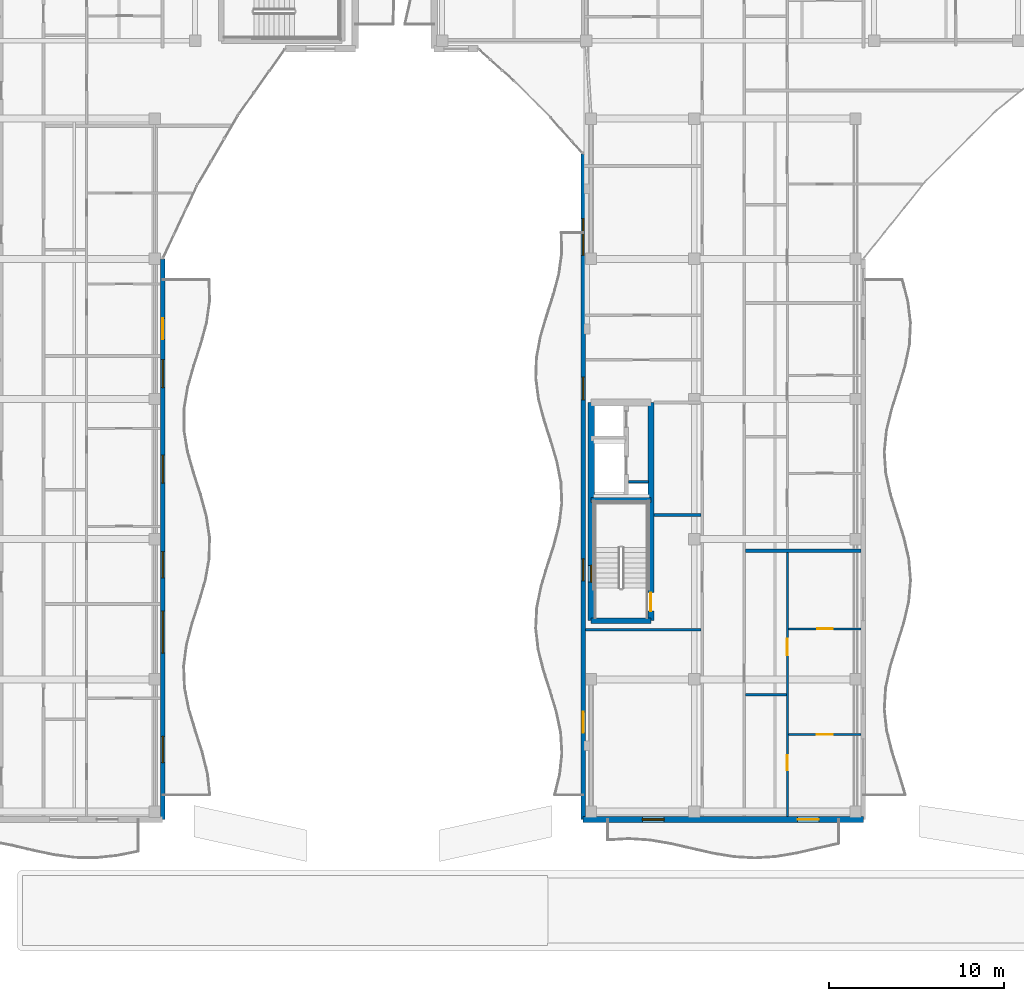
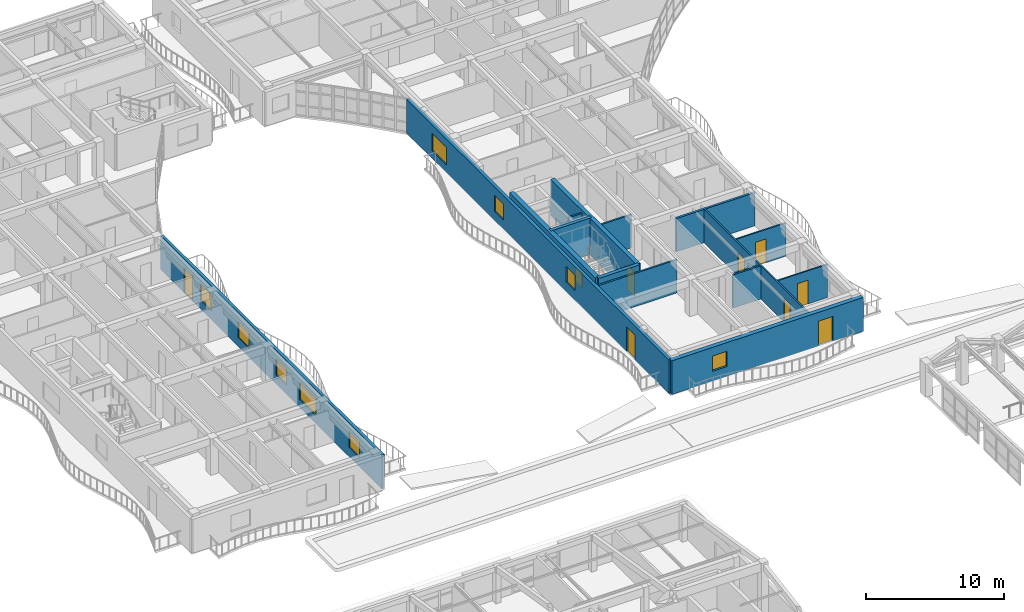
# One storey, part 82 of 128: 15 walls, 10 windows, 8 doors, 18 openings.
"""IFC4 building model written with IfcOpenShell, lengths in metres."""

from ifc_helpers import new_model, si_unit, direction, frame, frame_2d, origin, place, context, subcontext, project, spatial, rectangle, extrude, material, layer, layer_set, type_object, element, fill, save


model = new_model("IFC4")

# Units and contexts
model_context = context("Model", 3, precision=1e-05, world=origin(), true_north=direction((0.0, 1.0)))
body_context = subcontext(model_context, "Body", "Model", "MODEL_VIEW")
ifc_project = project(units=[si_unit("LENGTHUNIT", "METRE"), si_unit("AREAUNIT", "SQUARE_METRE"), si_unit("VOLUMEUNIT", "CUBIC_METRE"), si_unit("PLANEANGLEUNIT", "RADIAN"), si_unit("MASSUNIT", "GRAM", prefix="KILO")], contexts=[model_context])

# Site, building, storey
site_placement = place(None, origin())
site = spatial("IfcSite", under=ifc_project, at=site_placement, CompositionType="ELEMENT")
building_placement = place(site_placement, origin())
building = spatial("IfcBuilding", under=site, at=building_placement, Name="Keldmere Railside Commons", CompositionType="ELEMENT")
storey_placement = place(building_placement, frame((0.0, 0.0, 4.159912109375)))
storey = spatial("IfcBuildingStorey", under=building, at=storey_placement, Name="L01", CompositionType="ELEMENT", Elevation=4.159912109375)

# Wall
ifc_material_1 = material(Name="Acoustic Gypsum Board Partition", Category="gypsum")
ifc_layer_1 = layer(ifc_material_1, 0.179931640625, Name="Acoustic Demising Partition 180")
ifc_layer_set_1 = layer_set([ifc_layer_1], Name="Acoustic Gypsum Board Partition")
wall_type_1 = type_object("IfcWallType", Name="Acoustic Demising Partition 180", PredefinedType="PARTITIONING", material=ifc_layer_set_1)
wall_1_placement = place(storey_placement, frame((57.280029296875, 71.340087890625, 0.0), z_axis=(0.0, 0.0, 1.0), x_axis=(1.0, 0.0, 0.0)))
element("IfcWall", 1, at=wall_1_placement, inside=storey, type_object=wall_type_1, Name="IW-1 IW-L01-0515", PredefinedType="PARTITIONING", context=body_context, shape_type="SweptSolid", body=[
    extrude(rectangle(XDim=6.590087890625, YDim=0.179931640625, at=frame_2d((3.294921875, 0.0))), origin(), (0.0, 0.0, 1.0), 2.93505859375),
])

# Wall, openings, doors
ifc_layer_2 = layer(ifc_material_1, 0.1201171875, Name="Apartment Interior Partition 120")
ifc_layer_set_2 = layer_set([ifc_layer_2], Name="Acoustic Gypsum Board Partition")
wall_type_2 = type_object("IfcWallType", Name="Apartment Interior Partition 120", PredefinedType="PARTITIONING", material=ifc_layer_set_2)
wall_2_placement = place(storey_placement, frame((59.659912109375, 56.179931640625, 0.0), z_axis=(0.0, 0.0, 1.0), x_axis=(0.0, 1.0, 0.0)))
wall_2 = element("IfcWall", 2, at=wall_2_placement, inside=storey, type_object=wall_type_2, Name="IW-4 IW-L01-0518", PredefinedType="PARTITIONING", context=body_context, shape_type="SweptSolid", body=[
    extrude(rectangle(XDim=15.070068359375, YDim=0.1201171875, at=frame_2d((7.53515625, 0.0))), origin(), (0.0, 0.0, 1.0), 2.93505859375),
])
opening_1_placement = place(wall_2_placement, frame((2.63330078125, 0.0, 0.0)))
opening_1 = element("IfcOpeningElement", 3, at=opening_1_placement, cuts=wall_2, Name="Opening ID-04", PredefinedType="OPENING", context=body_context, shape_type="SweptSolid", body=[
    extrude(rectangle(XDim=0.860107421875, YDim=2.10009765625, at=frame_2d((0.43017578125, 1.050048828125))), frame((0.0, 0.070068359375, 0.0), z_axis=(0.0, -1.0, 0.0), x_axis=(1.0, 0.0, 0.0)), (0.0, 0.0, 1.0), 0.14013671875),
])
opening_2_placement = place(wall_2_placement, frame((9.209228515625, 0.0, 0.0)))
opening_2 = element("IfcOpeningElement", 4, at=opening_2_placement, cuts=wall_2, Name="Opening ID-03", PredefinedType="OPENING", context=body_context, shape_type="SweptSolid", body=[
    extrude(rectangle(XDim=0.919921875, YDim=2.10009765625, at=frame_2d((0.4599609375, 1.050048828125))), frame((0.0, 0.070068359375, 0.0), z_axis=(0.0, -1.0, 0.0), x_axis=(1.0, 0.0, 0.0)), (0.0, 0.0, 1.0), 0.14013671875),
])
ifc_material_2 = material(Name="Engineered Oak Timber", Category="wood")
door_type_1 = type_object("IfcDoorType", Name="Apartment Bathroom Door 860x2100", OperationType="NOTDEFINED", PredefinedType="DOOR", material=ifc_material_2)
door_1_placement = place(opening_1_placement, origin())
door_1 = element("IfcDoor", 5, at=door_1_placement, inside=storey, type_object=door_type_1, Name="ID-04 IDR-L01-0406", OperationType="SINGLE_SWING_RIGHT", OverallHeight=2.10009765625, OverallWidth=0.860107421875, PredefinedType="DOOR", context=body_context, shape_type="SweptSolid", body=[
    extrude(rectangle(XDim=0.860107421875, YDim=2.10009765625, at=frame_2d((0.43017578125, 1.050048828125))), frame((0.0, 0.02490234375, 0.0), z_axis=(0.0, -1.0, 0.0), x_axis=(1.0, 0.0, 0.0)), (0.0, 0.0, 1.0), 0.050048828125),
])
fill(opening_1, door_1)
door_type_2 = type_object("IfcDoorType", Name="Kitchen Pocket-Frame Swing Door 920x2100", OperationType="NOTDEFINED", PredefinedType="DOOR", material=ifc_material_2)
door_2_placement = place(opening_2_placement, origin())
door_2 = element("IfcDoor", 6, at=door_2_placement, inside=storey, type_object=door_type_2, Name="ID-03 IDR-L01-0407", OperationType="SINGLE_SWING_LEFT", OverallHeight=2.10009765625, OverallWidth=0.919921875, PredefinedType="DOOR", context=body_context, shape_type="SweptSolid", body=[
    extrude(rectangle(XDim=0.919921875, YDim=2.10009765625, at=frame_2d((0.4599609375, 1.050048828125))), frame((0.0, 0.02490234375, 0.0), z_axis=(0.0, -1.0, 0.0), x_axis=(1.0, 0.0, 0.0)), (0.0, 0.0, 1.0), 0.050048828125),
])
fill(opening_2, door_2)

# Wall, opening, door
wall_3_placement = place(storey_placement, frame((59.719970703125, 60.85009765625, 0.0), z_axis=(0.0, 0.0, 1.0), x_axis=(1.0, 0.0, 0.0)))
wall_3 = element("IfcWall", 7, at=wall_3_placement, inside=storey, type_object=wall_type_2, Name="IW-4 IW-L01-0520", PredefinedType="PARTITIONING", context=body_context, shape_type="SweptSolid", body=[
    extrude(rectangle(XDim=4.150146484375, YDim=0.1201171875, at=frame_2d((2.0751953125, 0.0))), origin(), (0.0, 0.0, 1.0), 2.93505859375),
])
opening_3_placement = place(wall_3_placement, frame((1.625, 0.0, 0.0)))
opening_3 = element("IfcOpeningElement", 8, at=opening_3_placement, cuts=wall_3, Name="Opening ID-01", PredefinedType="OPENING", context=body_context, shape_type="SweptSolid", body=[
    extrude(rectangle(XDim=0.89990234375, YDim=2.10009765625, at=frame_2d((0.449951171875, 1.050048828125))), frame((0.0, 0.070068359375, 0.0), z_axis=(0.0, -1.0, 0.0), x_axis=(1.0, 0.0, 0.0)), (0.0, 0.0, 1.0), 0.14013671875),
])
door_type_3 = type_object("IfcDoorType", Name="Primary Bedroom Door 900x2100", OperationType="NOTDEFINED", PredefinedType="DOOR", material=ifc_material_2)
door_3_placement = place(opening_3_placement, origin())
door_3 = element("IfcDoor", 9, at=door_3_placement, inside=storey, type_object=door_type_3, Name="ID-01 IDR-L01-0409", OperationType="SINGLE_SWING_LEFT", OverallHeight=2.10009765625, OverallWidth=0.89990234375, PredefinedType="DOOR", context=body_context, shape_type="SweptSolid", body=[
    extrude(rectangle(XDim=0.89990234375, YDim=2.10009765625, at=frame_2d((0.449951171875, 1.050048828125))), frame((0.0, 0.02490234375, 0.0), z_axis=(0.0, -1.0, 0.0), x_axis=(1.0, 0.0, 0.0)), (0.0, 0.0, 1.0), 0.050048828125),
])
fill(opening_3, door_3)

wall_4_placement = place(storey_placement, frame((59.719970703125, 66.8798828125, 0.0), z_axis=(0.0, 0.0, 1.0), x_axis=(1.0, 0.0, 0.0)))
wall_4 = element("IfcWall", 10, at=wall_4_placement, inside=storey, type_object=wall_type_2, Name="IW-4 IW-L01-0521", PredefinedType="PARTITIONING", context=body_context, shape_type="SweptSolid", body=[
    extrude(rectangle(XDim=4.150146484375, YDim=0.1201171875, at=frame_2d((2.0751953125, 0.0))), origin(), (0.0, 0.0, 1.0), 2.93505859375),
])
opening_4_placement = place(wall_4_placement, frame((1.635009765625, 0.0, 0.0)))
opening_4 = element("IfcOpeningElement", 11, at=opening_4_placement, cuts=wall_4, Name="Opening ID-02", PredefinedType="OPENING", context=body_context, shape_type="SweptSolid", body=[
    extrude(rectangle(XDim=0.8798828125, YDim=2.10009765625, at=frame_2d((0.43994140625, 1.050048828125))), frame((0.0, 0.070068359375, 0.0), z_axis=(0.0, -1.0, 0.0), x_axis=(1.0, 0.0, 0.0)), (0.0, 0.0, 1.0), 0.14013671875),
])
door_type_4 = type_object("IfcDoorType", Name="Secondary Bedroom Door 880x2100", OperationType="NOTDEFINED", PredefinedType="DOOR", material=ifc_material_2)
door_4_placement = place(opening_4_placement, origin())
door_4 = element("IfcDoor", 12, at=door_4_placement, inside=storey, type_object=door_type_4, Name="ID-02 IDR-L01-0410", OperationType="SINGLE_SWING_RIGHT", OverallHeight=2.10009765625, OverallWidth=0.8798828125, PredefinedType="DOOR", context=body_context, shape_type="SweptSolid", body=[
    extrude(rectangle(XDim=0.8798828125, YDim=2.10009765625, at=frame_2d((0.43994140625, 1.050048828125))), frame((0.0, 0.02490234375, 0.0), z_axis=(0.0, -1.0, 0.0), x_axis=(1.0, 0.0, 0.0)), (0.0, 0.0, 1.0), 0.050048828125),
])
fill(opening_4, door_4)

# Wall
ifc_material_3 = material(Name="Concrete H-35 (C35/45)", Category="concrete")
ifc_layer_3 = layer(ifc_material_3, 0.280029296875, Name="Core Shear Wall 280")
ifc_layer_set_3 = layer_set([ifc_layer_3], Name="Concrete H-35 (C35/45)")
wall_type_3 = type_object("IfcWallType", Name="Core Shear Wall 280", PredefinedType="SHEAR", material=ifc_layer_set_3)
wall_5_placement = place(storey_placement, frame((48.4599609375, 74.239990234375, 0.0), z_axis=(0.0, 0.0, 1.0), x_axis=(1.0, 0.0, 0.0)))
element("IfcWall", 13, at=wall_5_placement, inside=storey, type_object=wall_type_3, Name="CSW-2 CORECM-L01-0214", PredefinedType="SHEAR", context=body_context, shape_type="SweptSolid", body=[
    extrude(rectangle(XDim=3.41015625, YDim=0.280029296875, at=frame_2d((1.705078125, 0.0))), origin(), (0.0, 0.0, 1.0), 3.2001953125),
])

# Wall, opening, window
ifc_material_4 = material(Name="Concrete H-40 (C40/50)", Category="concrete")
ifc_layer_4 = layer(ifc_material_4, 0.3798828125, Name="Core Shear Wall 380")
ifc_layer_set_4 = layer_set([ifc_layer_4], Name="Concrete H-40 (C40/50)")
wall_type_4 = type_object("IfcWallType", Name="Core Shear Wall 380", PredefinedType="SHEAR", material=ifc_layer_set_4)
wall_6_placement = place(storey_placement, frame((48.4599609375, 67.35009765625, 0.0), z_axis=(0.0, 0.0, 1.0), x_axis=(0.0, 1.0, 0.0)))
wall_6 = element("IfcWall", 14, at=wall_6_placement, inside=storey, type_object=wall_type_4, Name="CW-CORE CORECW-L01-0210", PredefinedType="SHEAR", context=body_context, shape_type="SweptSolid", body=[
    extrude(rectangle(XDim=12.449951171875, YDim=0.3798828125, at=frame_2d((6.22509765625, 0.0))), origin(), (0.0, 0.0, 1.0), 3.2001953125),
])
opening_5_placement = place(wall_6_placement, frame((2.199951171875, 0.0, 0.969970703125)))
opening_5 = element("IfcOpeningElement", 15, at=opening_5_placement, cuts=wall_6, Name="Opening WN-17", PredefinedType="OPENING", context=body_context, shape_type="SweptSolid", body=[
    extrude(rectangle(XDim=0.949951171875, YDim=1.25, at=frame_2d((0.47509765625, 0.625))), frame((0.0, 0.199951171875, 0.0), z_axis=(0.0, -1.0, 0.0), x_axis=(1.0, 0.0, 0.0)), (0.0, 0.0, 1.0), 0.39990234375),
])
ifc_material_5 = material(Name="Low-E Insulated Double Glazing", Category="glass")
window_type_1 = type_object("IfcWindowType", Name="Stair Core Natural Smoke-Vent Window 950x1250", PartitioningType="SINGLE_PANEL", PredefinedType="WINDOW", material=ifc_material_5)
window_1_placement = place(opening_5_placement, origin())
window_1 = element("IfcWindow", 16, at=window_1_placement, inside=storey, type_object=window_type_1, Name="WN-17 WIN-L01-0147", OverallHeight=1.25, OverallWidth=0.949951171875, PartitioningType="SINGLE_PANEL", PredefinedType="WINDOW", context=body_context, shape_type="SweptSolid", body=[
    extrude(rectangle(XDim=0.949951171875, YDim=1.25, at=frame_2d((0.47509765625, 0.625))), frame((0.0, 0.030029296875, 0.0), z_axis=(0.0, -1.0, 0.0), x_axis=(1.0, 0.0, 0.0)), (0.0, 0.0, 1.0), 0.06005859375),
])
fill(opening_5, window_1)

# Wall, openings, door, window
ifc_layer_5 = layer(ifc_material_3, 0.360107421875, Name="Exterior Shear Wall 360")
ifc_layer_set_5 = layer_set([ifc_layer_5], Name="Concrete H-35 (C35/45)")
wall_type_5 = type_object("IfcWallType", Name="Exterior Shear Wall 360", PredefinedType="SHEAR", material=ifc_layer_set_5)
wall_7_placement = place(storey_placement, frame((64.0, 56.0, 0.0), z_axis=(0.0, 0.0, 1.0), x_axis=(-1.0, 0.0, 0.0)))
wall_7 = element("IfcWall", 17, at=wall_7_placement, inside=storey, type_object=wall_type_5, Name="ESW-1 EXTC-L01-0326", PredefinedType="SHEAR", context=body_context, shape_type="SweptSolid", body=[
    extrude(rectangle(XDim=16.0, YDim=0.360107421875, at=frame_2d((8.0, 0.0))), origin(), (0.0, 0.0, 1.0), 2.97998046875),
])
opening_6_placement = place(wall_7_placement, frame((2.550048828125, 0.0, 0.0)))
opening_6 = element("IfcOpeningElement", 18, at=opening_6_placement, cuts=wall_7, Name="Opening BD-01", PredefinedType="OPENING", context=body_context, shape_type="SweptSolid", body=[
    extrude(rectangle(XDim=1.199951171875, YDim=2.199951171875, at=frame_2d((0.60009765625, 1.10009765625))), frame((0.0, 0.18994140625, 0.0), z_axis=(0.0, -1.0, 0.0), x_axis=(1.0, 0.0, 0.0)), (0.0, 0.0, 1.0), 0.380126953125),
])
opening_7_placement = place(wall_7_placement, frame((11.375, 0.0, 0.8701171875)))
opening_7 = element("IfcOpeningElement", 19, at=opening_7_placement, cuts=wall_7, Name="Opening WN-09", PredefinedType="OPENING", context=body_context, shape_type="SweptSolid", body=[
    extrude(rectangle(XDim=1.25, YDim=1.35009765625, at=frame_2d((0.625, 0.675048828125))), frame((0.0, 0.18994140625, 0.0), z_axis=(0.0, -1.0, 0.0), x_axis=(1.0, 0.0, 0.0)), (0.0, 0.0, 1.0), 0.380126953125),
])
ifc_material_6 = material(Name="Thermally Broken Aluminium", Category="aluminium")
door_type_5 = type_object("IfcDoorType", Name="Apartment Living Wave-Balcony Glazed Door 1200x2200", OperationType="NOTDEFINED", PredefinedType="DOOR", material=ifc_material_6)
door_5_placement = place(opening_6_placement, origin())
door_5 = element("IfcDoor", 20, at=door_5_placement, inside=storey, type_object=door_type_5, Name="BD-01 DR-L01-0053", OperationType="SINGLE_SWING_LEFT", OverallHeight=2.199951171875, OverallWidth=1.199951171875, PredefinedType="DOOR", context=body_context, shape_type="SweptSolid", body=[
    extrude(rectangle(XDim=1.199951171875, YDim=2.199951171875, at=frame_2d((0.60009765625, 1.10009765625))), frame((0.0, 0.02490234375, 0.0), z_axis=(0.0, -1.0, 0.0), x_axis=(1.0, 0.0, 0.0)), (0.0, 0.0, 1.0), 0.050048828125),
])
fill(opening_6, door_5)
window_type_2 = type_object("IfcWindowType", Name="Secondary Bedroom Window 1250x1350", PartitioningType="SINGLE_PANEL", PredefinedType="WINDOW", material=ifc_material_5)
window_2_placement = place(opening_7_placement, origin())
window_2 = element("IfcWindow", 21, at=window_2_placement, inside=storey, type_object=window_type_2, Name="WN-09 WIN-L01-0172", OverallHeight=1.35009765625, OverallWidth=1.25, PartitioningType="SINGLE_PANEL", PredefinedType="WINDOW", context=body_context, shape_type="SweptSolid", body=[
    extrude(rectangle(XDim=1.25, YDim=1.35009765625, at=frame_2d((0.625, 0.675048828125))), frame((0.0, 0.030029296875, 0.0), z_axis=(0.0, -1.0, 0.0), x_axis=(1.0, 0.0, 0.0)), (0.0, 0.0, 1.0), 0.06005859375),
])
fill(opening_7, window_2)

# Wall
ifc_layer_6 = layer(ifc_material_3, 0.300048828125, Name="Interior Shear Wall 300")
ifc_layer_set_6 = layer_set([ifc_layer_6], Name="Concrete H-35 (C35/45)")
wall_type_6 = type_object("IfcWallType", Name="Interior Shear Wall 300", PredefinedType="SHEAR", material=ifc_layer_set_6)
wall_8_placement = place(storey_placement, frame((51.8701171875, 67.35009765625, 0.0), z_axis=(0.0, 0.0, 1.0), x_axis=(-1.0, 0.0, 0.0)))
element("IfcWall", 22, at=wall_8_placement, inside=storey, type_object=wall_type_6, Name="ISW-2 CORECS-L01-0213", PredefinedType="SHEAR", context=body_context, shape_type="SweptSolid", body=[
    extrude(rectangle(XDim=3.41015625, YDim=0.300048828125, at=frame_2d((1.705078125, 0.0))), origin(), (0.0, 0.0, 1.0), 3.2001953125),
])

# Wall, opening, door
ifc_layer_7 = layer(ifc_material_3, 0.340087890625, Name="Interior Shear Wall 340")
ifc_layer_set_7 = layer_set([ifc_layer_7], Name="Concrete H-35 (C35/45)")
wall_type_7 = type_object("IfcWallType", Name="Interior Shear Wall 340", PredefinedType="SHEAR", material=ifc_layer_set_7)
wall_9_placement = place(storey_placement, frame((51.8701171875, 79.800048828125, 0.0), z_axis=(0.0, 0.0, 1.0), x_axis=(0.0, -1.0, 0.0)))
wall_9 = element("IfcWall", 23, at=wall_9_placement, inside=storey, type_object=wall_type_7, Name="ISW-1 CORECE-L01-0212", PredefinedType="SHEAR", context=body_context, shape_type="SweptSolid", body=[
    extrude(rectangle(XDim=12.449951171875, YDim=0.340087890625, at=frame_2d((6.22509765625, 0.0))), origin(), (0.0, 0.0, 1.0), 3.2001953125),
])
opening_8_placement = place(wall_9_placement, frame((10.85009765625, 0.0, 0.0)))
opening_8 = element("IfcOpeningElement", 24, at=opening_8_placement, cuts=wall_9, Name="Opening FD-1", PredefinedType="OPENING", context=body_context, shape_type="SweptSolid", body=[
    extrude(rectangle(XDim=1.050048828125, YDim=2.14990234375, at=frame_2d((0.52490234375, 1.074951171875))), frame((0.0, 0.179931640625, 0.0), z_axis=(0.0, -1.0, 0.0), x_axis=(1.0, 0.0, 0.0)), (0.0, 0.0, 1.0), 0.360107421875),
])
ifc_material_7 = material(Name="Steel F-24 (S235)", Category="steel")
door_type_6 = type_object("IfcDoorType", Name="Stair Core Fire Door 1050x2150", OperationType="NOTDEFINED", PredefinedType="DOOR", material=ifc_material_7)
door_6_placement = place(opening_8_placement, origin())
door_6 = element("IfcDoor", 25, at=door_6_placement, inside=storey, type_object=door_type_6, Name="FD-1 C1 L01", OperationType="SINGLE_SWING_LEFT", OverallHeight=2.14990234375, OverallWidth=1.050048828125, PredefinedType="DOOR", context=body_context, shape_type="SweptSolid", body=[
    extrude(rectangle(XDim=1.050048828125, YDim=2.14990234375, at=frame_2d((0.52490234375, 1.074951171875))), frame((0.0, 0.02490234375, 0.0), z_axis=(0.0, -1.0, 0.0), x_axis=(1.0, 0.0, 0.0)), (0.0, 0.0, 1.0), 0.050048828125),
])
fill(opening_8, door_6)

# Walls
ifc_layer_8 = layer(ifc_material_1, 0.14990234375, Name="Lobby Rated Partition 150")
ifc_layer_set_8 = layer_set([ifc_layer_8], Name="Acoustic Gypsum Board Partition")
wall_type_8 = type_object("IfcWallType", Name="Lobby Rated Partition 150", PredefinedType="PARTITIONING", material=ifc_layer_set_8)
wall_10_placement = place(storey_placement, frame((50.60009765625, 75.280029296875, 0.0), z_axis=(0.0, 0.0, 1.0), x_axis=(1.0, 0.0, 0.0)))
element("IfcWall", 26, at=wall_10_placement, inside=storey, type_object=wall_type_8, Name="IW-3 RSRNC-L01-0217", PredefinedType="PARTITIONING", context=body_context, shape_type="SweptSolid", body=[
    extrude(rectangle(XDim=1.1298828125, YDim=0.14990234375, at=frame_2d((0.56494140625, 0.0))), origin(), (0.0, 0.0, 1.0), 2.9501953125),
])
wall_11_placement = place(storey_placement, frame((48.1298828125, 66.820068359375, 0.0), z_axis=(0.0, 0.0, 1.0), x_axis=(1.0, 0.0, 0.0)))
element("IfcWall", 27, at=wall_11_placement, inside=storey, type_object=wall_type_8, Name="IW-3 IW-L01-0503", PredefinedType="PARTITIONING", context=body_context, shape_type="SweptSolid", body=[
    extrude(rectangle(XDim=6.590087890625, YDim=0.14990234375, at=frame_2d((3.294921875, 0.0))), origin(), (0.0, 0.0, 1.0), 2.93505859375),
])
wall_12_placement = place(storey_placement, frame((52.0400390625, 73.3798828125, 0.0), z_axis=(0.0, 0.0, 1.0), x_axis=(1.0, 0.0, 0.0)))
element("IfcWall", 28, at=wall_12_placement, inside=storey, type_object=wall_type_8, Name="IW-3 IW-L01-0504", PredefinedType="PARTITIONING", context=body_context, shape_type="SweptSolid", body=[
    extrude(rectangle(XDim=2.679931640625, YDim=0.14990234375, at=frame_2d((1.33984375, 0.0))), origin(), (0.0, 0.0, 1.0), 2.93505859375),
])

# Wall, openings, door, windows
ifc_material_8 = material(Name="Architectural Precast Concrete H-35 (C35/45)", Category="concrete")
ifc_layer_9 = layer(ifc_material_8, 0.239990234375, Name="Sand-Ochre Precast Cavity Wall 240")
ifc_layer_set_9 = layer_set([ifc_layer_9], Name="Architectural Precast Concrete H-35 (C35/45)")
wall_type_9 = type_object("IfcWallType", Name="Sand-Ochre Precast Cavity Wall 240", PredefinedType="SOLIDWALL", material=ifc_layer_set_9)
wall_13_placement = place(storey_placement, frame((24.0, 88.0, 0.0), z_axis=(0.0, 0.0, 1.0), x_axis=(0.0, -1.0, 0.0)))
wall_13 = element("IfcWall", 29, at=wall_13_placement, inside=storey, type_object=wall_type_9, Name="EW-2 EXTD-L01-0130", PredefinedType="SOLIDWALL", context=body_context, shape_type="SweptSolid", body=[
    extrude(rectangle(XDim=32.0, YDim=0.239990234375, at=frame_2d((16.0, 0.0))), origin(), (0.0, 0.0, 1.0), 2.97998046875),
])
opening_9_placement = place(wall_13_placement, frame((3.39990234375, 0.0, 0.0)))
opening_9 = element("IfcOpeningElement", 30, at=opening_9_placement, cuts=wall_13, Name="Opening BD-01", PredefinedType="OPENING", context=body_context, shape_type="SweptSolid", body=[
    extrude(rectangle(XDim=1.199951171875, YDim=2.199951171875, at=frame_2d((0.60009765625, 1.10009765625))), frame((0.0, 0.1298828125, 0.0), z_axis=(0.0, -1.0, 0.0), x_axis=(1.0, 0.0, 0.0)), (0.0, 0.0, 1.0), 0.260009765625),
])
opening_10_placement = place(wall_13_placement, frame((5.75, 0.0, 0.77001953125)))
opening_10 = element("IfcOpeningElement", 31, at=opening_10_placement, cuts=wall_13, Name="Opening WN-04", PredefinedType="OPENING", context=body_context, shape_type="SweptSolid", body=[
    extrude(rectangle(XDim=1.60009765625, YDim=1.449951171875, at=frame_2d((0.800048828125, 0.72509765625))), frame((0.0, 0.1298828125, 0.0), z_axis=(0.0, -1.0, 0.0), x_axis=(1.0, 0.0, 0.0)), (0.0, 0.0, 1.0), 0.260009765625),
])
opening_11_placement = place(wall_13_placement, frame((11.199951171875, 0.0, 0.77001953125)))
opening_11 = element("IfcOpeningElement", 32, at=opening_11_placement, cuts=wall_13, Name="Opening WN-04", PredefinedType="OPENING", context=body_context, shape_type="SweptSolid", body=[
    extrude(rectangle(XDim=1.60009765625, YDim=1.449951171875, at=frame_2d((0.800048828125, 0.72509765625))), frame((0.0, 0.1298828125, 0.0), z_axis=(0.0, -1.0, 0.0), x_axis=(1.0, 0.0, 0.0)), (0.0, 0.0, 1.0), 0.260009765625),
])
opening_12_placement = place(wall_13_placement, frame((20.10009765625, 0.0, 0.719970703125)))
opening_12 = element("IfcOpeningElement", 33, at=opening_12_placement, cuts=wall_13, Name="Opening WN-05", PredefinedType="OPENING", context=body_context, shape_type="SweptSolid", body=[
    extrude(rectangle(XDim=2.39990234375, YDim=1.5, at=frame_2d((1.199951171875, 0.75))), frame((0.0, 0.1298828125, 0.0), z_axis=(0.0, -1.0, 0.0), x_axis=(1.0, 0.0, 0.0)), (0.0, 0.0, 1.0), 0.260009765625),
])
opening_13_placement = place(wall_13_placement, frame((27.25, 0.0, 0.820068359375)))
opening_13 = element("IfcOpeningElement", 34, at=opening_13_placement, cuts=wall_13, Name="Opening WN-06", PredefinedType="OPENING", context=body_context, shape_type="SweptSolid", body=[
    extrude(rectangle(XDim=1.5, YDim=1.39990234375, at=frame_2d((0.75, 0.699951171875))), frame((0.0, 0.1298828125, 0.0), z_axis=(0.0, -1.0, 0.0), x_axis=(1.0, 0.0, 0.0)), (0.0, 0.0, 1.0), 0.260009765625),
])
opening_14_placement = place(wall_13_placement, frame((16.7099609375, 0.0, 0.820068359375)))
opening_14 = element("IfcOpeningElement", 35, at=opening_14_placement, cuts=wall_13, Name="Opening WN-06", PredefinedType="OPENING", context=body_context, shape_type="SweptSolid", body=[
    extrude(rectangle(XDim=1.5, YDim=1.39990234375, at=frame_2d((0.75, 0.699951171875))), frame((0.0, 0.1298828125, 0.0), z_axis=(0.0, -1.0, 0.0), x_axis=(1.0, 0.0, 0.0)), (0.0, 0.0, 1.0), 0.260009765625),
])
door_7_placement = place(opening_9_placement, origin())
door_7 = element("IfcDoor", 36, at=door_7_placement, inside=storey, type_object=door_type_5, Name="BD-01 DR-L01-0008", OperationType="SINGLE_SWING_RIGHT", OverallHeight=2.199951171875, OverallWidth=1.199951171875, PredefinedType="DOOR", context=body_context, shape_type="SweptSolid", body=[
    extrude(rectangle(XDim=1.199951171875, YDim=2.199951171875, at=frame_2d((0.60009765625, 1.10009765625))), frame((0.0, 0.02490234375, 0.0), z_axis=(0.0, -1.0, 0.0), x_axis=(1.0, 0.0, 0.0)), (0.0, 0.0, 1.0), 0.050048828125),
])
fill(opening_9, door_7)
window_type_3 = type_object("IfcWindowType", Name="Corner Dual-Aspect Ribbon Window 2400x1500", PartitioningType="SINGLE_PANEL", PredefinedType="WINDOW", material=ifc_material_5)
window_3_placement = place(opening_12_placement, origin())
window_3 = element("IfcWindow", 37, at=window_3_placement, inside=storey, type_object=window_type_3, Name="WN-05 WIN-L01-0032", OverallHeight=1.5, OverallWidth=2.39990234375, PartitioningType="SINGLE_PANEL", PredefinedType="WINDOW", context=body_context, shape_type="SweptSolid", body=[
    extrude(rectangle(XDim=2.39990234375, YDim=1.5, at=frame_2d((1.199951171875, 0.75))), frame((0.0, 0.030029296875, 0.0), z_axis=(0.0, -1.0, 0.0), x_axis=(1.0, 0.0, 0.0)), (0.0, 0.0, 1.0), 0.06005859375),
])
fill(opening_12, window_3)
window_type_4 = type_object("IfcWindowType", Name="Living Room West Shaded Window 1600x1450", PartitioningType="SINGLE_PANEL", PredefinedType="WINDOW", material=ifc_material_5)
window_4_placement = place(opening_10_placement, origin())
window_4 = element("IfcWindow", 38, at=window_4_placement, inside=storey, type_object=window_type_4, Name="WN-04 WIN-L01-0030", OverallHeight=1.449951171875, OverallWidth=1.60009765625, PartitioningType="SINGLE_PANEL", PredefinedType="WINDOW", context=body_context, shape_type="SweptSolid", body=[
    extrude(rectangle(XDim=1.60009765625, YDim=1.449951171875, at=frame_2d((0.800048828125, 0.72509765625))), frame((0.0, 0.030029296875, 0.0), z_axis=(0.0, -1.0, 0.0), x_axis=(1.0, 0.0, 0.0)), (0.0, 0.0, 1.0), 0.06005859375),
])
fill(opening_10, window_4)
window_5_placement = place(opening_11_placement, origin())
window_5 = element("IfcWindow", 39, at=window_5_placement, inside=storey, type_object=window_type_4, Name="WN-04 WIN-L01-0031", OverallHeight=1.449951171875, OverallWidth=1.60009765625, PartitioningType="SINGLE_PANEL", PredefinedType="WINDOW", context=body_context, shape_type="SweptSolid", body=[
    extrude(rectangle(XDim=1.60009765625, YDim=1.449951171875, at=frame_2d((0.800048828125, 0.72509765625))), frame((0.0, 0.030029296875, 0.0), z_axis=(0.0, -1.0, 0.0), x_axis=(1.0, 0.0, 0.0)), (0.0, 0.0, 1.0), 0.06005859375),
])
fill(opening_11, window_5)
window_type_5 = type_object("IfcWindowType", Name="Primary Bedroom North Window 1500x1400", PartitioningType="SINGLE_PANEL", PredefinedType="WINDOW", material=ifc_material_5)
window_6_placement = place(opening_13_placement, origin())
window_6 = element("IfcWindow", 40, at=window_6_placement, inside=storey, type_object=window_type_5, Name="WN-06 WIN-L01-0033", OverallHeight=1.39990234375, OverallWidth=1.5, PartitioningType="SINGLE_PANEL", PredefinedType="WINDOW", context=body_context, shape_type="SweptSolid", body=[
    extrude(rectangle(XDim=1.5, YDim=1.39990234375, at=frame_2d((0.75, 0.699951171875))), frame((0.0, 0.030029296875, 0.0), z_axis=(0.0, -1.0, 0.0), x_axis=(1.0, 0.0, 0.0)), (0.0, 0.0, 1.0), 0.06005859375),
])
fill(opening_13, window_6)
window_7_placement = place(opening_14_placement, origin())
window_7 = element("IfcWindow", 41, at=window_7_placement, inside=storey, type_object=window_type_5, Name="WN-06 WIN-L01-9001", OverallHeight=1.39990234375, OverallWidth=1.5, PartitioningType="SINGLE_PANEL", PredefinedType="WINDOW", context=body_context, shape_type="SweptSolid", body=[
    extrude(rectangle(XDim=1.5, YDim=1.39990234375, at=frame_2d((0.75, 0.699951171875))), frame((0.0, 0.030029296875, 0.0), z_axis=(0.0, -1.0, 0.0), x_axis=(1.0, 0.0, 0.0)), (0.0, 0.0, 1.0), 0.06005859375),
])
fill(opening_14, window_7)

ifc_material_9 = material(Name="Terracotta Brick Masonry", Category="masonry")
ifc_layer_10 = layer(ifc_material_9, 0.260009765625, Name="Terracotta Cavity Wall 260")
ifc_layer_set_10 = layer_set([ifc_layer_10], Name="Terracotta Brick Masonry")
wall_type_10 = type_object("IfcWallType", Name="Terracotta Cavity Wall 260", PredefinedType="SOLIDWALL", material=ifc_layer_set_10)
wall_14_placement = place(storey_placement, frame((48.0, 56.0, 0.0), z_axis=(0.0, 0.0, 1.0), x_axis=(0.0, 1.0, 0.0)))
wall_14 = element("IfcWall", 42, at=wall_14_placement, inside=storey, type_object=wall_type_10, Name="EW-1 EXTC-L01-0333", PredefinedType="SOLIDWALL", context=body_context, shape_type="SweptSolid", body=[
    extrude(rectangle(XDim=38.0, YDim=0.260009765625, at=frame_2d((19.0, 0.0))), origin(), (0.0, 0.0, 1.0), 2.97998046875),
])
opening_15_placement = place(wall_14_placement, frame((4.949951171875, 0.0, 0.0)))
opening_15 = element("IfcOpeningElement", 43, at=opening_15_placement, cuts=wall_14, Name="Opening BD-01", PredefinedType="OPENING", context=body_context, shape_type="SweptSolid", body=[
    extrude(rectangle(XDim=1.199951171875, YDim=2.199951171875, at=frame_2d((0.60009765625, 1.10009765625))), frame((0.0, 0.139892578125, 0.0), z_axis=(0.0, -1.0, 0.0), x_axis=(1.0, 0.0, 0.0)), (0.0, 0.0, 1.0), 0.280029296875),
])
opening_16_placement = place(wall_14_placement, frame((13.625, 0.0, 0.8701171875)))
opening_16 = element("IfcOpeningElement", 44, at=opening_16_placement, cuts=wall_14, Name="Opening WN-09", PredefinedType="OPENING", context=body_context, shape_type="SweptSolid", body=[
    extrude(rectangle(XDim=1.25, YDim=1.35009765625, at=frame_2d((0.625, 0.675048828125))), frame((0.0, 0.139892578125, 0.0), z_axis=(0.0, -1.0, 0.0), x_axis=(1.0, 0.0, 0.0)), (0.0, 0.0, 1.0), 0.280029296875),
])
opening_17_placement = place(wall_14_placement, frame((23.949951171875, 0.0, 0.820068359375)))
opening_17 = element("IfcOpeningElement", 45, at=opening_17_placement, cuts=wall_14, Name="Opening WN-10", PredefinedType="OPENING", context=body_context, shape_type="SweptSolid", body=[
    extrude(rectangle(XDim=1.300048828125, YDim=1.39990234375, at=frame_2d((0.64990234375, 0.699951171875))), frame((0.0, 0.139892578125, 0.0), z_axis=(0.0, -1.0, 0.0), x_axis=(1.0, 0.0, 0.0)), (0.0, 0.0, 1.0), 0.280029296875),
])
opening_18_placement = place(wall_14_placement, frame((32.199951171875, 0.0, 0.669921875)))
opening_18 = element("IfcOpeningElement", 46, at=opening_18_placement, cuts=wall_14, Name="Opening WN-11", PredefinedType="OPENING", context=body_context, shape_type="SweptSolid", body=[
    extrude(rectangle(XDim=2.10009765625, YDim=1.550048828125, at=frame_2d((1.050048828125, 0.77490234375))), frame((0.0, 0.139892578125, 0.0), z_axis=(0.0, -1.0, 0.0), x_axis=(1.0, 0.0, 0.0)), (0.0, 0.0, 1.0), 0.280029296875),
])
door_8_placement = place(opening_15_placement, origin())
door_8 = element("IfcDoor", 47, at=door_8_placement, inside=storey, type_object=door_type_5, Name="BD-01 DR-L01-0060", OperationType="SINGLE_SWING_RIGHT", OverallHeight=2.199951171875, OverallWidth=1.199951171875, PredefinedType="DOOR", context=body_context, shape_type="SweptSolid", body=[
    extrude(rectangle(XDim=1.199951171875, YDim=2.199951171875, at=frame_2d((0.60009765625, 1.10009765625))), frame((0.0, 0.02490234375, 0.0), z_axis=(0.0, -1.0, 0.0), x_axis=(1.0, 0.0, 0.0)), (0.0, 0.0, 1.0), 0.050048828125),
])
fill(opening_15, door_8)
window_type_6 = type_object("IfcWindowType", Name="Secondary Bedroom Court Window 1300x1400", PartitioningType="SINGLE_PANEL", PredefinedType="WINDOW", material=ifc_material_5)
window_8_placement = place(opening_17_placement, origin())
window_8 = element("IfcWindow", 48, at=window_8_placement, inside=storey, type_object=window_type_6, Name="WN-10 WIN-L01-0189", OverallHeight=1.39990234375, OverallWidth=1.300048828125, PartitioningType="SINGLE_PANEL", PredefinedType="WINDOW", context=body_context, shape_type="SweptSolid", body=[
    extrude(rectangle(XDim=1.300048828125, YDim=1.39990234375, at=frame_2d((0.64990234375, 0.699951171875))), frame((0.0, 0.030029296875, 0.0), z_axis=(0.0, -1.0, 0.0), x_axis=(1.0, 0.0, 0.0)), (0.0, 0.0, 1.0), 0.06005859375),
])
fill(opening_17, window_8)
window_9_placement = place(opening_16_placement, origin())
window_9 = element("IfcWindow", 49, at=window_9_placement, inside=storey, type_object=window_type_2, Name="WN-09 WIN-L01-0188", OverallHeight=1.35009765625, OverallWidth=1.25, PartitioningType="SINGLE_PANEL", PredefinedType="WINDOW", context=body_context, shape_type="SweptSolid", body=[
    extrude(rectangle(XDim=1.25, YDim=1.35009765625, at=frame_2d((0.625, 0.675048828125))), frame((0.0, 0.030029296875, 0.0), z_axis=(0.0, -1.0, 0.0), x_axis=(1.0, 0.0, 0.0)), (0.0, 0.0, 1.0), 0.06005859375),
])
fill(opening_16, window_9)
window_type_7 = type_object("IfcWindowType", Name="Studio Wide Casement Window 2100x1550", PartitioningType="SINGLE_PANEL", PredefinedType="WINDOW", material=ifc_material_5)
window_10_placement = place(opening_18_placement, origin())
window_10 = element("IfcWindow", 50, at=window_10_placement, inside=storey, type_object=window_type_7, Name="WN-11 WIN-L01-0190", OverallHeight=1.550048828125, OverallWidth=2.10009765625, PartitioningType="SINGLE_PANEL", PredefinedType="WINDOW", context=body_context, shape_type="SweptSolid", body=[
    extrude(rectangle(XDim=2.10009765625, YDim=1.550048828125, at=frame_2d((1.050048828125, 0.77490234375))), frame((0.0, 0.030029296875, 0.0), z_axis=(0.0, -1.0, 0.0), x_axis=(1.0, 0.0, 0.0)), (0.0, 0.0, 1.0), 0.06005859375),
])
fill(opening_18, window_10)

# Wall
ifc_layer_11 = layer(ifc_material_1, 0.139892578125, Name="Wet-Room Sanitary Partition 140")
ifc_layer_set_11 = layer_set([ifc_layer_11], Name="Acoustic Gypsum Board Partition")
wall_type_11 = type_object("IfcWallType", Name="Wet-Room Sanitary Partition 140", PredefinedType="PARTITIONING", material=ifc_layer_set_11)
wall_15_placement = place(storey_placement, frame((57.280029296875, 63.110107421875, 0.0), z_axis=(0.0, 0.0, 1.0), x_axis=(1.0, 0.0, 0.0)))
element("IfcWall", 51, at=wall_15_placement, inside=storey, type_object=wall_type_11, Name="IW-5 IW-L01-0519", PredefinedType="PARTITIONING", context=body_context, shape_type="SweptSolid", body=[
    extrude(rectangle(XDim=2.320068359375, YDim=0.139892578125, at=frame_2d((1.16015625, 0.0))), origin(), (0.0, 0.0, 1.0), 2.93505859375),
])

save(model, "model.ifc")
